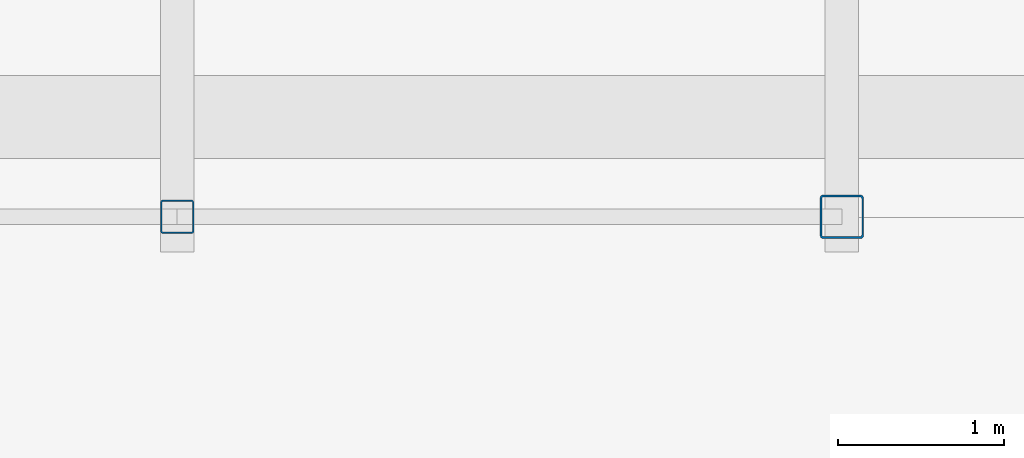
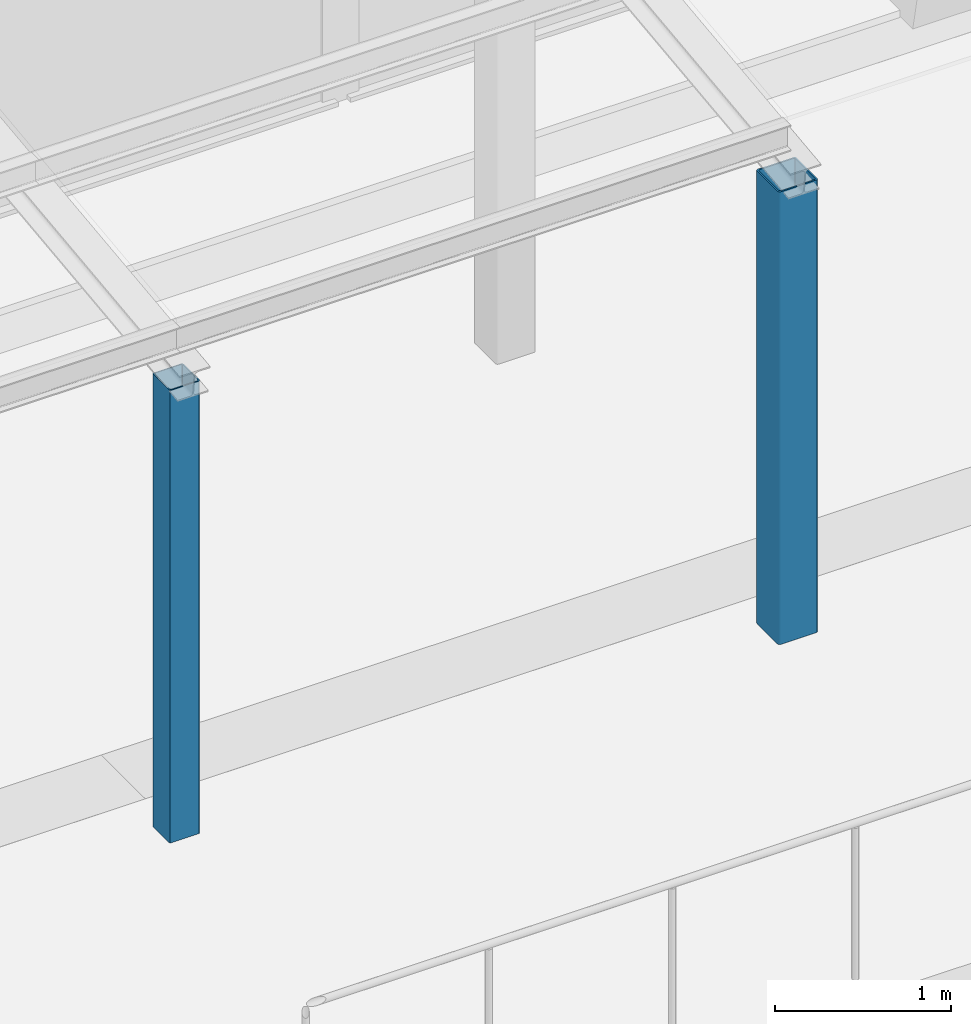
# One storey, part 10 of 144: 2 columns.
"""IFC4 building model written with IfcOpenShell, lengths in metres."""

from ifc_helpers import new_model, si_unit, direction, frame, origin, origin_2d, place, context, subcontext, project, spatial, hollow_rectangle, extrude, material, material_profile, profile_set, type_object, element, save


model = new_model("IFC4")

# Units and contexts
model_context = context("Model", 3, precision=1e-05, world=origin(), true_north=direction((0.0, 1.0)))
body_context = subcontext(model_context, "Body", "Model", "MODEL_VIEW")
ifc_project = project(units=[si_unit("LENGTHUNIT", "METRE"), si_unit("AREAUNIT", "SQUARE_METRE"), si_unit("VOLUMEUNIT", "CUBIC_METRE"), si_unit("PLANEANGLEUNIT", "RADIAN"), si_unit("MASSUNIT", "GRAM", prefix="KILO")], contexts=[model_context])

# Site, building, storey
site_placement = place(None, origin())
site = spatial("IfcSite", under=ifc_project, at=site_placement, CompositionType="ELEMENT")
building_placement = place(site_placement, origin())
building = spatial("IfcBuilding", under=site, at=building_placement, Name="Lantern Court Media Centre", CompositionType="ELEMENT")
storey_placement = place(building_placement, origin())
storey = spatial("IfcBuildingStorey", under=building, at=storey_placement, Name="L00", CompositionType="ELEMENT", Elevation=0.0)

# Columns
ifc_material = material(Name="Steel S355J2 (EN 10025-2)", Category="steel")
ifc_material_profile_1 = material_profile(ifc_material, hollow_rectangle(XDim=0.260009765625, YDim=0.260009765625, WallThickness=0.010009765625, InnerFilletRadius=0.010009765625, OuterFilletRadius=0.014892578125, at=origin_2d()), Name="Entrance canopy end post SHS 260x10")
ifc_profile_set_1 = profile_set([ifc_material_profile_1], Name="Steel S355J2 (EN 10025-2)")
column_type_1 = type_object("IfcColumnType", Name="Entrance canopy end post SHS 260x10", PredefinedType="COLUMN", material=ifc_profile_set_1)
column_1_placement = place(storey_placement, frame((60.0, 43.39990234375, 0.0), z_axis=(0.0, 0.0, 1.0), x_axis=(1.0, 0.0, 0.0)))
element("IfcColumn", 1, at=column_1_placement, inside=storey, type_object=column_type_1, Name="Entrance canopy post 5-1", PredefinedType="COLUMN", context=body_context, shape_type="SweptSolid", body=[
    extrude(hollow_rectangle(XDim=0.260009765625, YDim=0.260009765625, WallThickness=0.010009765625, InnerFilletRadius=0.010009765625, OuterFilletRadius=0.014892578125, at=origin_2d()), origin(), (0.0, 0.0, 1.0), 3.1337890625),
])
ifc_material_profile_2 = material_profile(ifc_material, hollow_rectangle(XDim=0.199951171875, YDim=0.199951171875, WallThickness=0.008056640625, InnerFilletRadius=0.008056640625, OuterFilletRadius=0.011962890625, at=origin_2d()), Name="Entrance canopy post SHS 200x8")
ifc_profile_set_2 = profile_set([ifc_material_profile_2], Name="Steel S355J2 (EN 10025-2)")
column_type_2 = type_object("IfcColumnType", Name="Entrance canopy post SHS 200x8", PredefinedType="COLUMN", material=ifc_profile_set_2)
column_2_placement = place(storey_placement, frame((56.0, 43.39990234375, 0.0), z_axis=(0.0, 0.0, 1.0), x_axis=(1.0, 0.0, 0.0)))
element("IfcColumn", 2, at=column_2_placement, inside=storey, type_object=column_type_2, Name="Entrance canopy post 4-1", PredefinedType="COLUMN", context=body_context, shape_type="SweptSolid", body=[
    extrude(hollow_rectangle(XDim=0.199951171875, YDim=0.199951171875, WallThickness=0.008056640625, InnerFilletRadius=0.008056640625, OuterFilletRadius=0.011962890625, at=origin_2d()), origin(), (0.0, 0.0, 1.0), 3.1337890625),
])

save(model, "model.ifc")
